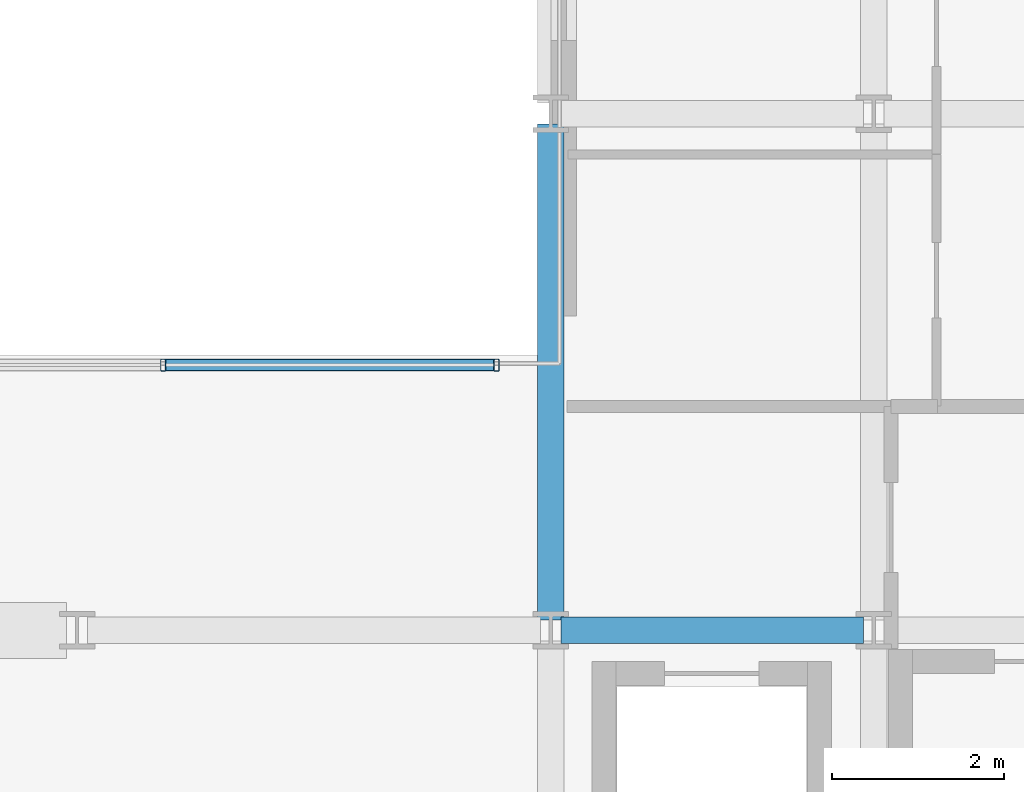
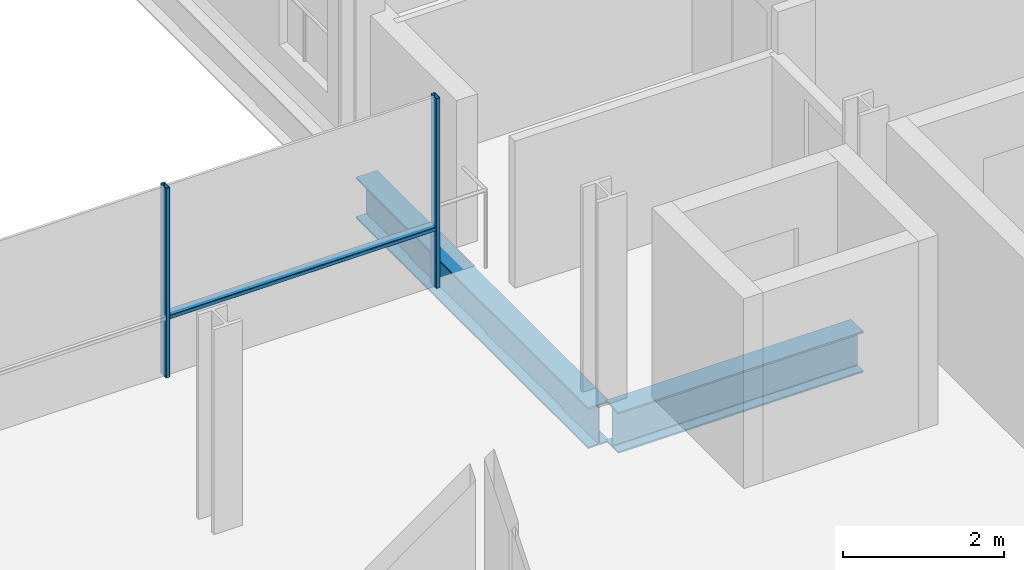
# One storey, part 13 of 41: 3 members, 2 beams, 1 element without a shape of its own.
"""IFC4 building model written with IfcOpenShell, lengths in metres."""

import ifcopenshell
import ifcopenshell.guid

model = None  # the IFC model being written
_history = None  # IfcOwnerHistory: only IFC2X3 demands one
_inside = {}  # id of a spatial element -> (the spatial element, [elements in it])
_under = {}  # id of a project, library or spatial element -> (it, [spatial elements below it])
_declared = {}  # id of a project -> (the project, [libraries it declares])
_typed = {}  # id of a type object -> (the type object, [elements of that type])
_made_of = {}  # id of a material, layer set ... -> (it, [elements and type objects made of it])


def new_model(schema):
    """Start an empty IFC model of exactly this schema.

    Asked for "IFC4X3", IfcOpenShell would pick the latest addendum, in which some entities
    have other attributes; the version numbers below select the first issue.
    IFC2X3 requires an IfcOwnerHistory on every rooted entity: one is made here for all.
    """
    global model, _history
    if schema == "IFC4X3":
        model = ifcopenshell.file(schema_version=(4, 3, 0, 0))
    else:
        model = ifcopenshell.file(schema=schema)
    _inside.clear()
    _under.clear()
    _declared.clear()
    _typed.clear()
    _made_of.clear()
    _history = None
    if model.schema == "IFC2X3":
        org = make("IfcOrganization", Name="unknown")
        user = make(
            "IfcPersonAndOrganization",
            ThePerson=make("IfcPerson", FamilyName="unknown"),
            TheOrganization=org,
        )
        app = make(
            "IfcApplication",
            ApplicationDeveloper=org,
            Version="unknown",
            ApplicationFullName="unknown",
            ApplicationIdentifier="unknown",
        )
        _history = make(
            "IfcOwnerHistory",
            OwningUser=user,
            OwningApplication=app,
            ChangeAction="ADDED",
            CreationDate=0,
        )
    return model


def make(cls, **values):
    """One entity of the class cls with the attributes given. An attribute that is None is left unset."""
    return model.create_entity(
        cls, **{name: value for name, value in values.items() if value is not None}
    )


def rooted(cls, **values):
    """An entity with a GlobalId (a new one), such as an element, a storey or a relation."""
    return make(cls, GlobalId=ifcopenshell.guid.new(), OwnerHistory=_history, **values)


def si_unit(unit_type, name, prefix=None):
    """IfcSIUnit, for example si_unit("LENGTHUNIT", "METRE", prefix="MILLI")."""
    return make("IfcSIUnit", UnitType=unit_type, Prefix=prefix, Name=name)


def assignment(units):
    """IfcUnitAssignment: the units of a project."""
    return None if units is None else make("IfcUnitAssignment", Units=units)


def point(xyz):
    """IfcCartesianPoint."""
    return None if xyz is None else make("IfcCartesianPoint", Coordinates=xyz)


def direction(xyz):
    """IfcDirection."""
    return None if xyz is None else make("IfcDirection", DirectionRatios=xyz)


def frame(location, z_axis=None, x_axis=None):
    """IfcAxis2Placement3D, a coordinate frame: its origin and axes. An axis left out is left unset."""
    return make(
        "IfcAxis2Placement3D",
        Location=point(location),
        Axis=direction(z_axis),
        RefDirection=direction(x_axis),
    )


def frame_2d(location, x_axis=None):
    """IfcAxis2Placement2D, a coordinate frame in the plane: its origin and x axis."""
    return make(
        "IfcAxis2Placement2D", Location=point(location), RefDirection=direction(x_axis)
    )


def origin():
    """The frame at (0, 0, 0) with its axes left unset."""
    return frame((0.0, 0.0, 0.0))


def origin_2d():
    """The frame at (0, 0) in the plane with its x axis left unset."""
    return frame_2d((0.0, 0.0))


def place(relative_to, where):
    """IfcLocalPlacement: puts the frame where relative to a parent placement (None: the world)."""
    return make(
        "IfcLocalPlacement", PlacementRelTo=relative_to, RelativePlacement=where
    )


def context(
    kind, dimensions, precision=None, world=None, true_north=None, identifier=None
):
    """IfcGeometricRepresentationContext, for example the 3D "Model" context."""
    return make(
        "IfcGeometricRepresentationContext",
        ContextIdentifier=identifier,
        ContextType=kind,
        CoordinateSpaceDimension=dimensions,
        Precision=precision,
        WorldCoordinateSystem=world,
        TrueNorth=true_north,
    )


def subcontext(parent, identifier, kind, view, scale=None):
    """IfcGeometricRepresentationSubContext, for example "Body" below "Model"."""
    return make(
        "IfcGeometricRepresentationSubContext",
        ContextIdentifier=identifier,
        ContextType=kind,
        ParentContext=parent,
        TargetScale=scale,
        TargetView=view,
    )


def project(units=None, contexts=None):
    """IfcProject with its units and contexts."""
    return rooted(
        "IfcProject",
        Name="project",
        RepresentationContexts=contexts,
        UnitsInContext=assignment(units),
    )


def spatial(cls, under=None, at=None, **own):
    """A site, building, storey or space (cls), placed at a placement, below another one or the project."""
    s = rooted(cls, ObjectPlacement=at, **own)
    if under is not None:
        _under.setdefault(under.id(), (under, []))[1].append(s)
    return s


def profile(cls, at=None, kind="AREA", **sizes):
    """A parametric profile (cls). Its sizes go by their IFC names, for example OverallWidth=200.0."""
    return make(cls, ProfileType=kind, Position=at, **sizes)


def hollow_rectangle(**sizes):
    """IfcRectangleHollowProfileDef."""
    return profile("IfcRectangleHollowProfileDef", **sizes)


def i_section(**sizes):
    """IfcIShapeProfileDef."""
    return profile("IfcIShapeProfileDef", **sizes)


def extrude(swept, where, along, depth):
    """IfcExtrudedAreaSolid: the profile swept, set in the frame where, extruded along a direction by depth."""
    return make(
        "IfcExtrudedAreaSolid",
        SweptArea=swept,
        Position=where,
        ExtrudedDirection=direction(along),
        Depth=depth,
    )


def shape(context_of_items, identifier, shape_type, items):
    """IfcShapeRepresentation: the items that make up one representation, for example the "Body"."""
    return make(
        "IfcShapeRepresentation",
        ContextOfItems=context_of_items,
        RepresentationIdentifier=identifier,
        RepresentationType=shape_type,
        Items=items,
    )


def material(Name=None, Category=None):
    """IfcMaterial."""
    return make("IfcMaterial", Name=Name, Category=Category)


def layer(
    of_material, thickness, ventilated=None, Name=None, Category=None, Priority=None
):
    """IfcMaterialLayer: one layer of a wall or slab, of a material (None: an air gap)."""
    return make(
        "IfcMaterialLayer",
        Material=of_material,
        LayerThickness=thickness,
        IsVentilated=ventilated,
        Name=Name,
        Category=Category,
        Priority=Priority,
    )


def layer_set(layers, Name=None):
    """IfcMaterialLayerSet."""
    return make("IfcMaterialLayerSet", MaterialLayers=layers, LayerSetName=Name)


def material_profile(
    of_material, cross_section, Name=None, Category=None, Priority=None
):
    """IfcMaterialProfile: a cross section and its material."""
    return make(
        "IfcMaterialProfile",
        Name=Name,
        Material=of_material,
        Profile=cross_section,
        Priority=Priority,
        Category=Category,
    )


def profile_set(profiles, Name=None, composite=None):
    """IfcMaterialProfileSet."""
    return make(
        "IfcMaterialProfileSet",
        Name=Name,
        MaterialProfiles=profiles,
        CompositeProfile=composite,
    )


def made_of(thing, what):
    """Note that an element or type object is made of a material, layer set ...; save() writes the relation."""
    if what is not None:
        _made_of.setdefault(what.id(), (what, []))[1].append(thing)
    return thing


def type_object(cls, material=None, **own):
    """A type object (cls), such as IfcWallType, which elements share."""
    return made_of(rooted(cls, **own), material)


def element(
    cls,
    number,
    at=None,
    inside=None,
    cuts=None,
    type_object=None,
    material=None,
    context=None,
    identifier="Body",
    shape_type=None,
    held_by="IfcProductDefinitionShape",
    body=None,
    shapes=None,
    **own,
):
    """One element of the class cls, such as IfcWall. Its Tag is "e" and its number.

    at: its placement. inside: the storey or other place that contains it. cuts: it is an
    opening in that element (IfcRelVoidsElement). A single representation is given by context,
    identifier, shape_type and body (its items); several are given by shapes. held_by: the class
    of the entity that holds the representations. save() writes the other relations.
    """
    e = rooted(cls, Tag="e%d" % number, ObjectPlacement=at, **own)
    if body is not None:
        shapes = [shape(context, identifier, shape_type, body)]
    if shapes is not None:
        e.Representation = make(held_by, Representations=shapes)
    if inside is not None:
        _inside.setdefault(inside.id(), (inside, []))[1].append(e)
    if cuts is not None:
        rooted(
            "IfcRelVoidsElement", RelatingBuildingElement=cuts, RelatedOpeningElement=e
        )
    if type_object is not None:
        _typed.setdefault(type_object.id(), (type_object, []))[1].append(e)
    return made_of(e, material)


def aggregate(whole, parts):
    """IfcRelAggregates: a whole, such as a stair, and the parts it consists of."""
    return rooted("IfcRelAggregates", RelatingObject=whole, RelatedObjects=parts)


def save(model, path):
    """Write the relations noted so far, then the file.

    IfcRelAggregates (storeys below a building ...), IfcRelContainedInSpatialStructure (elements
    in a storey), IfcRelDefinesByType, IfcRelAssociatesMaterial and IfcRelDeclares: one each for
    every whole, place, type object, material and project.
    """
    for whole, parts in _under.values():
        aggregate(whole, parts)
    for where, things in _inside.values():
        rooted(
            "IfcRelContainedInSpatialStructure",
            RelatedElements=things,
            RelatingStructure=where,
        )
    for kind, things in _typed.values():
        rooted("IfcRelDefinesByType", RelatedObjects=things, RelatingType=kind)
    for what, things in _made_of.values():
        rooted("IfcRelAssociatesMaterial", RelatedObjects=things, RelatingMaterial=what)
    for by, libraries in _declared.values():
        rooted("IfcRelDeclares", RelatingContext=by, RelatedDefinitions=libraries)
    model.write(path)


model = new_model("IFC4")

# Units and contexts
model_context = context("Model", 3, precision=1e-05, world=origin(), true_north=direction((0.0, 1.0)))
body_context = subcontext(model_context, "Body", "Model", "MODEL_VIEW")
ifc_project = project(units=[si_unit("LENGTHUNIT", "METRE"), si_unit("AREAUNIT", "SQUARE_METRE"), si_unit("VOLUMEUNIT", "CUBIC_METRE"), si_unit("PLANEANGLEUNIT", "RADIAN"), si_unit("MASSUNIT", "GRAM", prefix="KILO")], contexts=[model_context])

# Site, building, storey
site_placement = place(None, origin())
site = spatial("IfcSite", under=ifc_project, at=site_placement, CompositionType="ELEMENT")
building_placement = place(site_placement, origin())
building = spatial("IfcBuilding", under=site, at=building_placement, Name="Brevholm Reach", CompositionType="ELEMENT")
storey_placement = place(building_placement, frame((0.0, 0.0, 68.300048828125)))
storey = spatial("IfcBuildingStorey", under=building, at=storey_placement, Name="L19", CompositionType="ELEMENT", Elevation=68.300048828125)

# Beams
ifc_material_1 = material(Name="Structural Steel S355J2", Category="steel")
ifc_material_profile_1 = material_profile(ifc_material_1, i_section(OverallWidth=0.30712890625, OverallDepth=0.6201171875, WebThickness=0.01416015625, FlangeThickness=0.023681640625, FilletRadius=0.0166015625, at=origin_2d()), Name="UKB 610x305x179")
ifc_profile_set_1 = profile_set([ifc_material_profile_1], Name="Structural Steel S355J2")
beam_type = type_object("IfcBeamType", Name="BM-UKB610H", PredefinedType="USERDEFINED", material=ifc_profile_set_1)
beam_1_placement = place(storey_placement, frame((38.3701171875, 10.0, -0.5400390625), z_axis=(1.0, 0.0, 0.0), x_axis=(0.0, 1.0, 0.0)))
element("IfcBeam", 1, at=beam_1_placement, inside=storey, type_object=beam_type, Name="L19 G-06 Framing Beam", ObjectType="GIRDER", PredefinedType="USERDEFINED", context=body_context, shape_type="SweptSolid", body=[
    extrude(i_section(OverallWidth=0.30712890625, OverallDepth=0.6201171875, WebThickness=0.01416015625, FlangeThickness=0.023681640625, FilletRadius=0.0166015625, at=origin_2d()), origin(), (0.0, 0.0, 1.0), 3.509765625),
])
beam_2_placement = place(storey_placement, frame((38.25, 10.1201171875, -0.5400390625), z_axis=(0.0, 1.0, 0.0), x_axis=(-1.0, 0.0, 0.0)))
element("IfcBeam", 2, at=beam_2_placement, inside=storey, type_object=beam_type, Name="L19 G-06 Framing Beam", ObjectType="GIRDER", PredefinedType="USERDEFINED", context=body_context, shape_type="SweptSolid", body=[
    extrude(i_section(OverallWidth=0.30712890625, OverallDepth=0.6201171875, WebThickness=0.01416015625, FlangeThickness=0.023681640625, FilletRadius=0.0166015625, at=origin_2d()), origin(), (0.0, 0.0, 1.0), 5.759765625),
])

# Curtain wall, members
ifc_material_2 = material(Name="Dark Anodised Aluminium 6063-T6 and Solar-Control Glass", Category="aluminium")
ifc_layer = layer(ifc_material_2, 0.139892578125)
ifc_layer_set = layer_set([ifc_layer], Name="Dark Anodised Aluminium 6063-T6 and Solar-Control Glass")
curtain_wall_type = type_object("IfcCurtainWallType", Name="CW-02", PredefinedType="NOTDEFINED", material=ifc_layer_set)
curtain_wall_placement = place(storey_placement, origin())
curtain_wall = element("IfcCurtainWall", 3, at=curtain_wall_placement, inside=storey, type_object=curtain_wall_type, Name="L19 Curtain Wall CW-02", PredefinedType="NOTDEFINED")
ifc_material_3 = material(Name="Dark Anodised Aluminium 6063-T6", Category="aluminium")
ifc_material_profile_2 = material_profile(ifc_material_3, hollow_rectangle(XDim=0.06005859375, YDim=0.139892578125, WallThickness=0.0048828125, InnerFilletRadius=0.0048828125, OuterFilletRadius=0.010009765625, at=origin_2d()), Name="RHS 140x60x5")
ifc_profile_set_2 = profile_set([ifc_material_profile_2], Name="Dark Anodised Aluminium 6063-T6")
member_type_1 = type_object("IfcMemberType", Name="CWM-140", PredefinedType="MULLION", material=ifc_profile_set_2)
member_1_placement = place(storey_placement, frame((33.75, 13.080078125, 0.0), z_axis=(0.0, 0.0, 1.0), x_axis=(1.0, 0.0, 0.0)))
member_1 = element("IfcMember", 4, at=member_1_placement, type_object=member_type_1, Name="CM-140 Mullion 4", PredefinedType="MULLION", context=body_context, shape_type="SweptSolid", body=[
    extrude(hollow_rectangle(XDim=0.06005859375, YDim=0.139892578125, WallThickness=0.0048828125, InnerFilletRadius=0.0048828125, OuterFilletRadius=0.010009765625, at=origin_2d()), origin(), (0.0, 0.0, 1.0), 2.869873046875),
])
member_2_placement = place(storey_placement, frame((37.6201171875, 13.080078125, 0.0), z_axis=(0.0, 0.0, 1.0), x_axis=(1.0, 0.0, 0.0)))
member_2 = element("IfcMember", 5, at=member_2_placement, type_object=member_type_1, Name="CM-140 Mullion 5", PredefinedType="MULLION", context=body_context, shape_type="SweptSolid", body=[
    extrude(hollow_rectangle(XDim=0.06005859375, YDim=0.139892578125, WallThickness=0.0048828125, InnerFilletRadius=0.0048828125, OuterFilletRadius=0.010009765625, at=origin_2d()), origin(), (0.0, 0.0, 1.0), 2.869873046875),
])
ifc_material_4 = material(Name="Dark Anodised Aluminium 6063-T6", Category="aluminium")
ifc_material_profile_3 = material_profile(ifc_material_4, hollow_rectangle(XDim=0.06005859375, YDim=0.139892578125, WallThickness=0.0048828125, InnerFilletRadius=0.0048828125, OuterFilletRadius=0.010009765625, at=origin_2d()), Name="RHS 140x60x5")
ifc_profile_set_3 = profile_set([ifc_material_profile_3], Name="Dark Anodised Aluminium 6063-T6")
member_type_2 = type_object("IfcMemberType", Name="CWT-140", PredefinedType="NOTDEFINED", material=ifc_profile_set_3)
member_3_placement = place(storey_placement, frame((33.780029296875, 13.080078125, 0.89990234375), z_axis=(1.0, 0.0, 0.0), x_axis=(0.0, 0.0, 1.0)))
member_3 = element("IfcMember", 6, at=member_3_placement, type_object=member_type_2, Name="CT-140 Transom 4.1", ObjectType="TRANSOM", PredefinedType="USERDEFINED", context=body_context, shape_type="SweptSolid", body=[
    extrude(hollow_rectangle(XDim=0.06005859375, YDim=0.139892578125, WallThickness=0.0048828125, InnerFilletRadius=0.0048828125, OuterFilletRadius=0.010009765625, at=origin_2d()), origin(), (0.0, 0.0, 1.0), 3.81005859375),
])
aggregate(curtain_wall, [member_1, member_2, member_3])

save(model, "model.ifc")
